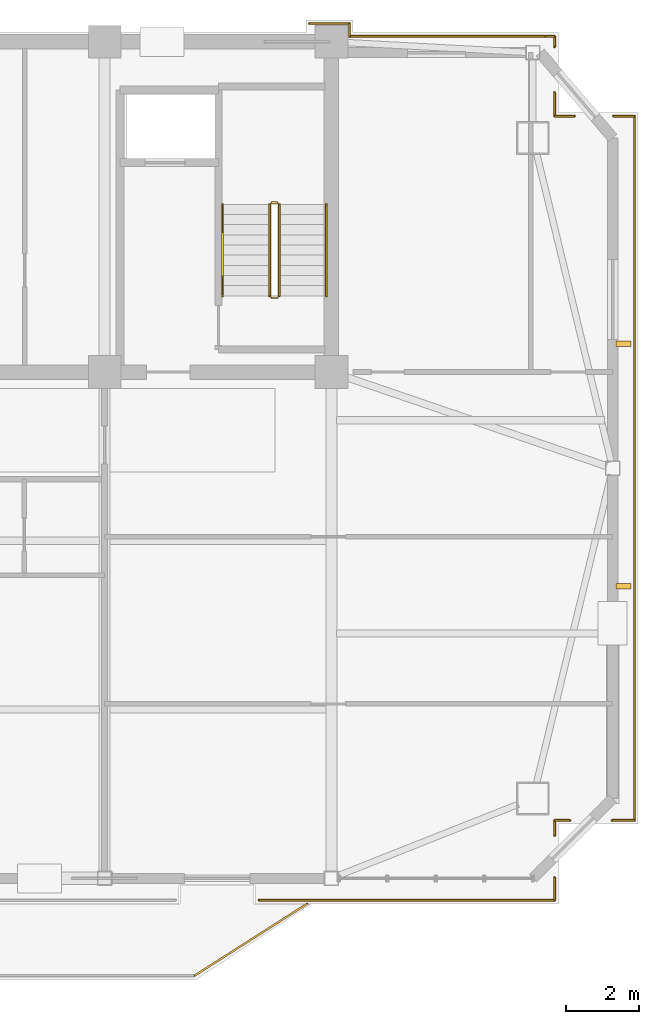
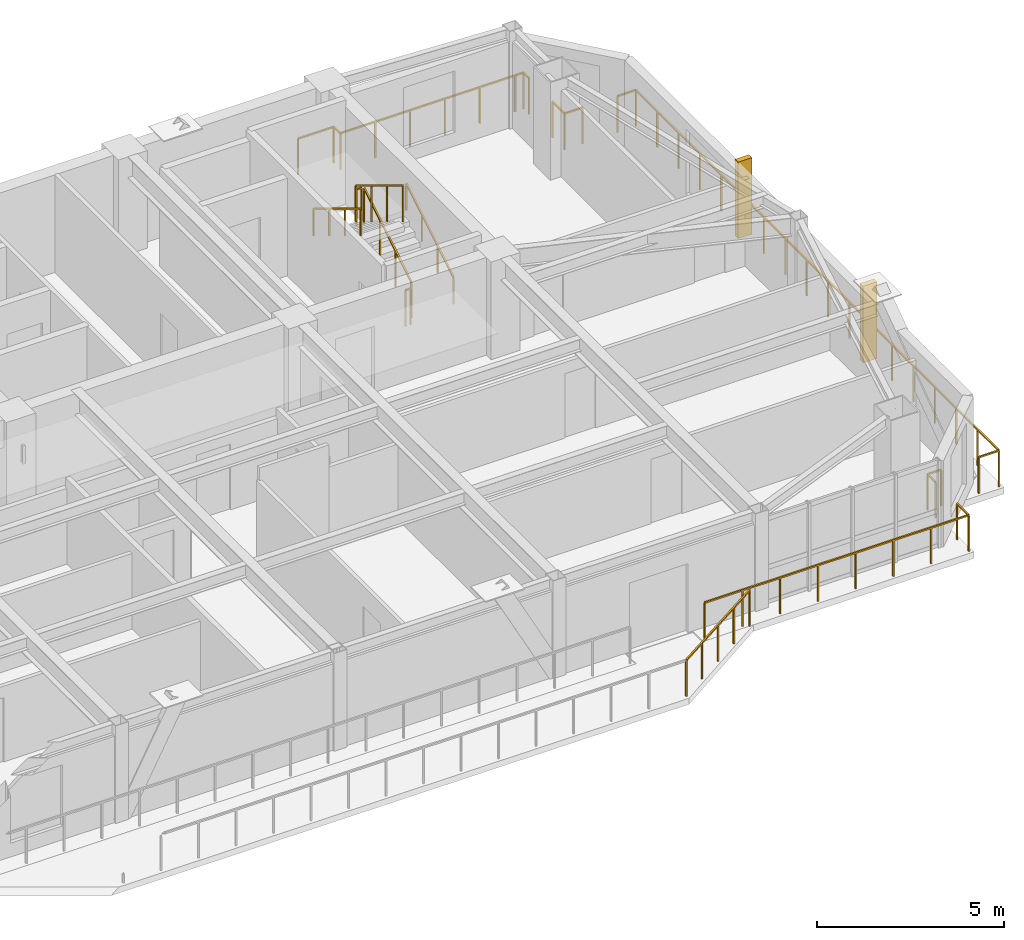
# One storey, part 12 of 12: 21 railings, 2 shading devices.
"""IFC4 building model written with IfcOpenShell, lengths in metres."""

from ifc_helpers import new_model, si_unit, direction, frame, origin, origin_2d, place, context, subcontext, project, spatial, rectangle, extrude, source, transform, mapped, material, type_object, element, save


model = new_model("IFC4")

# Units and contexts
model_context = context("Model", 3, precision=1e-05, world=origin(), true_north=direction((0.0, 1.0)))
body_context = subcontext(model_context, "Body", "Model", "MODEL_VIEW")
ifc_project = project(units=[si_unit("LENGTHUNIT", "METRE"), si_unit("AREAUNIT", "SQUARE_METRE"), si_unit("VOLUMEUNIT", "CUBIC_METRE"), si_unit("PLANEANGLEUNIT", "RADIAN"), si_unit("MASSUNIT", "GRAM", prefix="KILO")], contexts=[model_context])

# Site, building, storey
site_placement = place(None, origin())
site = spatial("IfcSite", under=ifc_project, at=site_placement, CompositionType="ELEMENT")
building_placement = place(site_placement, origin())
building = spatial("IfcBuilding", under=site, at=building_placement, Name="Giltprow Tower", CompositionType="ELEMENT")
storey_placement = place(building_placement, frame((0.0, 0.0, 345.89990234375)))
storey = spatial("IfcBuildingStorey", under=building, at=storey_placement, Name="L90", CompositionType="ELEMENT", Elevation=345.89990234375)

# Railings
ifc_material = material(Name="Anodized bronze", Category="metal")
railing_type_1 = type_object("IfcRailingType", Name="RAIL-BALC-GUARD-1200", PredefinedType="BALUSTRADE", material=ifc_material)
railing_1_placement = place(storey_placement, frame((46.780029296875, 20.820068359375, 0.0)))
element("IfcRailing", 1, at=railing_1_placement, inside=storey, type_object=railing_type_1, Name="L90 Waterfront Balcony Balustrade Seg 3", PredefinedType="BALUSTRADE", context=body_context, shape_type="SweptSolid", body=[
    extrude(rectangle(XDim=0.048095703125, YDim=0.048095703125, at=origin_2d()), frame((0.0, 0.0, 1.17578125), z_axis=(0.842755646126, 0.538296313309, 0.0), x_axis=(-0.538296313309, 0.842755646126, 0.0)), (0.0, 0.0, 1.0), 3.67822265625),
    extrude(rectangle(XDim=0.0419921875, YDim=0.0419921875, at=origin_2d()), origin(), (0.0, 0.0, 1.0), 1.15185546875),
    extrude(rectangle(XDim=0.0419921875, YDim=0.0419921875, at=origin_2d()), frame((0.77490234375, 0.4951171875, 0.0)), (0.0, 0.0, 1.0), 1.15185546875),
    extrude(rectangle(XDim=0.0419921875, YDim=0.0419921875, at=origin_2d()), frame((1.5498046875, 0.989990234375, 0.0)), (0.0, 0.0, 1.0), 1.15185546875),
    extrude(rectangle(XDim=0.0419921875, YDim=0.0419921875, at=origin_2d()), frame((2.324951171875, 1.48486328125, 0.0)), (0.0, 0.0, 1.0), 1.15185546875),
    extrude(rectangle(XDim=0.0419921875, YDim=0.0419921875, at=origin_2d()), frame((3.099853515625, 1.97998046875, 0.0)), (0.0, 0.0, 1.0), 1.15185546875),
])
railing_2_placement = place(storey_placement, frame((58.89990234375, 44.5, 0.0)))
element("IfcRailing", 2, at=railing_2_placement, inside=storey, type_object=railing_type_1, Name="L90 Corner Apron Edge Balustrade 1", PredefinedType="BALUSTRADE", context=body_context, shape_type="SweptSolid", body=[
    extrude(rectangle(XDim=0.048095703125, YDim=0.048095703125, at=origin_2d()), frame((0.0, 0.0, 1.17578125), z_axis=(0.0, -1.0, 0.0), x_axis=(1.0, 0.0, 0.0)), (0.0, 0.0, 1.0), 19.39990234375),
    extrude(rectangle(XDim=0.0419921875, YDim=0.0419921875, at=origin_2d()), origin(), (0.0, 0.0, 1.0), 1.15185546875),
    extrude(rectangle(XDim=0.0419921875, YDim=0.0419921875, at=origin_2d()), frame((0.0, -1.14111328125, 0.0)), (0.0, 0.0, 1.0), 1.15185546875),
    extrude(rectangle(XDim=0.0419921875, YDim=0.0419921875, at=origin_2d()), frame((0.0, -2.2822265625, 0.0)), (0.0, 0.0, 1.0), 1.15185546875),
    extrude(rectangle(XDim=0.0419921875, YDim=0.0419921875, at=origin_2d()), frame((0.0, -3.423583984375, 0.0)), (0.0, 0.0, 1.0), 1.15185546875),
    extrude(rectangle(XDim=0.0419921875, YDim=0.0419921875, at=origin_2d()), frame((0.0, -4.564697265625, 0.0)), (0.0, 0.0, 1.0), 1.15185546875),
    extrude(rectangle(XDim=0.0419921875, YDim=0.0419921875, at=origin_2d()), frame((0.0, -5.705810546875, 0.0)), (0.0, 0.0, 1.0), 1.15185546875),
    extrude(rectangle(XDim=0.0419921875, YDim=0.0419921875, at=origin_2d()), frame((0.0, -6.846923828125, 0.0)), (0.0, 0.0, 1.0), 1.15185546875),
    extrude(rectangle(XDim=0.0419921875, YDim=0.0419921875, at=origin_2d()), frame((0.0, -7.98828125, 0.0)), (0.0, 0.0, 1.0), 1.15185546875),
    extrude(rectangle(XDim=0.0419921875, YDim=0.0419921875, at=origin_2d()), frame((0.0, -9.12939453125, 0.0)), (0.0, 0.0, 1.0), 1.15185546875),
    extrude(rectangle(XDim=0.0419921875, YDim=0.0419921875, at=origin_2d()), frame((0.0, -10.2705078125, 0.0)), (0.0, 0.0, 1.0), 1.15185546875),
    extrude(rectangle(XDim=0.0419921875, YDim=0.0419921875, at=origin_2d()), frame((0.0, -11.41162109375, 0.0)), (0.0, 0.0, 1.0), 1.15185546875),
    extrude(rectangle(XDim=0.0419921875, YDim=0.0419921875, at=origin_2d()), frame((0.0, -12.552978515625, 0.0)), (0.0, 0.0, 1.0), 1.15185546875),
    extrude(rectangle(XDim=0.0419921875, YDim=0.0419921875, at=origin_2d()), frame((0.0, -13.694091796875, 0.0)), (0.0, 0.0, 1.0), 1.15185546875),
    extrude(rectangle(XDim=0.0419921875, YDim=0.0419921875, at=origin_2d()), frame((0.0, -14.835205078125, 0.0)), (0.0, 0.0, 1.0), 1.15185546875),
    extrude(rectangle(XDim=0.0419921875, YDim=0.0419921875, at=origin_2d()), frame((0.0, -15.976318359375, 0.0)), (0.0, 0.0, 1.0), 1.15185546875),
    extrude(rectangle(XDim=0.0419921875, YDim=0.0419921875, at=origin_2d()), frame((0.0, -17.11767578125, 0.0)), (0.0, 0.0, 1.0), 1.15185546875),
    extrude(rectangle(XDim=0.0419921875, YDim=0.0419921875, at=origin_2d()), frame((0.0, -18.2587890625, 0.0)), (0.0, 0.0, 1.0), 1.15185546875),
    extrude(rectangle(XDim=0.0419921875, YDim=0.0419921875, at=origin_2d()), frame((0.0, -19.39990234375, 0.0)), (0.0, 0.0, 1.0), 1.15185546875),
])
railing_3_placement = place(storey_placement, frame((58.89990234375, 25.10009765625, 0.0)))
element("IfcRailing", 3, at=railing_3_placement, inside=storey, type_object=railing_type_1, Name="L90 Corner Apron Edge Balustrade 2", PredefinedType="BALUSTRADE", context=body_context, shape_type="SweptSolid", body=[
    extrude(rectangle(XDim=0.048095703125, YDim=0.048095703125, at=origin_2d()), frame((0.0, 0.0, 1.17578125), z_axis=(-1.0, 0.0, 0.0), x_axis=(0.0, -1.0, 0.0)), (0.0, 0.0, 1.0), 0.619873046875),
    extrude(rectangle(XDim=0.0419921875, YDim=0.0419921875, at=origin_2d()), origin(), (0.0, 0.0, 1.0), 1.15185546875),
    extrude(rectangle(XDim=0.0419921875, YDim=0.0419921875, at=origin_2d()), frame((-0.619873046875, 0.0, 0.0)), (0.0, 0.0, 1.0), 1.15185546875),
])
railing_4_placement = place(storey_placement, frame((57.1201171875, 25.10009765625, 0.0)))
element("IfcRailing", 4, at=railing_4_placement, inside=storey, type_object=railing_type_1, Name="L90 Corner Apron Edge Balustrade 3", PredefinedType="BALUSTRADE", context=body_context, shape_type="SweptSolid", body=[
    extrude(rectangle(XDim=0.048095703125, YDim=0.048095703125, at=origin_2d()), frame((0.0, 0.0, 1.17578125), z_axis=(-1.0, 0.0, 0.0), x_axis=(0.0, -1.0, 0.0)), (0.0, 0.0, 1.0), 0.420166015625),
    extrude(rectangle(XDim=0.0419921875, YDim=0.0419921875, at=origin_2d()), origin(), (0.0, 0.0, 1.0), 1.15185546875),
    extrude(rectangle(XDim=0.0419921875, YDim=0.0419921875, at=origin_2d()), frame((-0.420166015625, 0.0, 0.0)), (0.0, 0.0, 1.0), 1.15185546875),
])
railing_5_placement = place(storey_placement, frame((56.699951171875, 25.10009765625, 0.0)))
element("IfcRailing", 5, at=railing_5_placement, inside=storey, type_object=railing_type_1, Name="L90 Corner Apron Edge Balustrade 4", PredefinedType="BALUSTRADE", context=body_context, shape_type="SweptSolid", body=[
    extrude(rectangle(XDim=0.048095703125, YDim=0.048095703125, at=origin_2d()), frame((0.0, 0.0, 1.17578125), z_axis=(0.0, -1.0, 0.0), x_axis=(1.0, 0.0, 0.0)), (0.0, 0.0, 1.0), 0.420166015625),
    extrude(rectangle(XDim=0.0419921875, YDim=0.0419921875, at=origin_2d()), origin(), (0.0, 0.0, 1.0), 1.15185546875),
    extrude(rectangle(XDim=0.0419921875, YDim=0.0419921875, at=origin_2d()), frame((0.0, -0.420166015625, 0.0)), (0.0, 0.0, 1.0), 1.15185546875),
])
railing_6_placement = place(storey_placement, frame((56.699951171875, 23.52001953125, 0.0)))
element("IfcRailing", 6, at=railing_6_placement, inside=storey, type_object=railing_type_1, Name="L90 Corner Apron Edge Balustrade 5", PredefinedType="BALUSTRADE", context=body_context, shape_type="SweptSolid", body=[
    extrude(rectangle(XDim=0.048095703125, YDim=0.048095703125, at=origin_2d()), frame((0.0, 0.0, 1.17578125), z_axis=(0.0, -1.0, 0.0), x_axis=(1.0, 0.0, 0.0)), (0.0, 0.0, 1.0), 0.6201171875),
    extrude(rectangle(XDim=0.0419921875, YDim=0.0419921875, at=origin_2d()), origin(), (0.0, 0.0, 1.0), 1.15185546875),
    extrude(rectangle(XDim=0.0419921875, YDim=0.0419921875, at=origin_2d()), frame((0.0, -0.6201171875, 0.0)), (0.0, 0.0, 1.0), 1.15185546875),
])
railing_7_placement = place(storey_placement, frame((56.699951171875, 22.89990234375, 0.0)))
element("IfcRailing", 7, at=railing_7_placement, inside=storey, type_object=railing_type_1, Name="L90 Corner Apron Edge Balustrade 6", PredefinedType="BALUSTRADE", context=body_context, shape_type="SweptSolid", body=[
    extrude(rectangle(XDim=0.048095703125, YDim=0.048095703125, at=origin_2d()), frame((0.0, 0.0, 1.17578125), z_axis=(-1.0, 0.0, 0.0), x_axis=(0.0, -1.0, 0.0)), (0.0, 0.0, 1.0), 8.14990234375),
    extrude(rectangle(XDim=0.0419921875, YDim=0.0419921875, at=origin_2d()), origin(), (0.0, 0.0, 1.0), 1.15185546875),
    extrude(rectangle(XDim=0.0419921875, YDim=0.0419921875, at=origin_2d()), frame((-1.164306640625, 0.0, 0.0)), (0.0, 0.0, 1.0), 1.15185546875),
    extrude(rectangle(XDim=0.0419921875, YDim=0.0419921875, at=origin_2d()), frame((-2.32861328125, 0.0, 0.0)), (0.0, 0.0, 1.0), 1.15185546875),
    extrude(rectangle(XDim=0.0419921875, YDim=0.0419921875, at=origin_2d()), frame((-3.492919921875, 0.0, 0.0)), (0.0, 0.0, 1.0), 1.15185546875),
    extrude(rectangle(XDim=0.0419921875, YDim=0.0419921875, at=origin_2d()), frame((-4.656982421875, 0.0, 0.0)), (0.0, 0.0, 1.0), 1.15185546875),
    extrude(rectangle(XDim=0.0419921875, YDim=0.0419921875, at=origin_2d()), frame((-5.8212890625, 0.0, 0.0)), (0.0, 0.0, 1.0), 1.15185546875),
    extrude(rectangle(XDim=0.0419921875, YDim=0.0419921875, at=origin_2d()), frame((-6.985595703125, 0.0, 0.0)), (0.0, 0.0, 1.0), 1.15185546875),
    extrude(rectangle(XDim=0.0419921875, YDim=0.0419921875, at=origin_2d()), frame((-8.14990234375, 0.0, 0.0)), (0.0, 0.0, 1.0), 1.15185546875),
])
railing_8_placement = place(storey_placement, frame((49.949951171875, 47.050048828125, 0.0)))
element("IfcRailing", 8, at=railing_8_placement, inside=storey, type_object=railing_type_1, Name="L90 Corner Apron Edge Balustrade 22", PredefinedType="BALUSTRADE", context=body_context, shape_type="SweptSolid", body=[
    extrude(rectangle(XDim=0.048095703125, YDim=0.048095703125, at=origin_2d()), frame((0.0, 0.0, 1.17578125), z_axis=(1.0, 0.0, 0.0), x_axis=(0.0, 1.0, 0.0)), (0.0, 0.0, 1.0), 1.10009765625),
    extrude(rectangle(XDim=0.0419921875, YDim=0.0419921875, at=origin_2d()), origin(), (0.0, 0.0, 1.0), 1.15185546875),
    extrude(rectangle(XDim=0.0419921875, YDim=0.0419921875, at=origin_2d()), frame((1.10009765625, 0.0, 0.0)), (0.0, 0.0, 1.0), 1.15185546875),
])
railing_9_placement = place(storey_placement, frame((51.050048828125, 47.050048828125, 0.0)))
element("IfcRailing", 9, at=railing_9_placement, inside=storey, type_object=railing_type_1, Name="L90 Corner Apron Edge Balustrade 23", PredefinedType="BALUSTRADE", context=body_context, shape_type="SweptSolid", body=[
    extrude(rectangle(XDim=0.048095703125, YDim=0.048095703125, at=origin_2d()), frame((0.0, 0.0, 1.17578125), z_axis=(0.0, -1.0, 0.0), x_axis=(1.0, 0.0, 0.0)), (0.0, 0.0, 1.0), 0.35009765625),
    extrude(rectangle(XDim=0.0419921875, YDim=0.0419921875, at=origin_2d()), origin(), (0.0, 0.0, 1.0), 1.15185546875),
    extrude(rectangle(XDim=0.0419921875, YDim=0.0419921875, at=origin_2d()), frame((0.0, -0.35009765625, 0.0)), (0.0, 0.0, 1.0), 1.15185546875),
])
railing_10_placement = place(storey_placement, frame((51.050048828125, 46.699951171875, 0.0)))
element("IfcRailing", 10, at=railing_10_placement, inside=storey, type_object=railing_type_1, Name="L90 Corner Apron Edge Balustrade 24", PredefinedType="BALUSTRADE", context=body_context, shape_type="SweptSolid", body=[
    extrude(rectangle(XDim=0.048095703125, YDim=0.048095703125, at=origin_2d()), frame((0.0, 0.0, 1.17578125), z_axis=(1.0, 0.0, 0.0), x_axis=(0.0, 1.0, 0.0)), (0.0, 0.0, 1.0), 5.3779296875),
    extrude(rectangle(XDim=0.0419921875, YDim=0.0419921875, at=origin_2d()), origin(), (0.0, 0.0, 1.0), 1.15185546875),
    extrude(rectangle(XDim=0.0419921875, YDim=0.0419921875, at=origin_2d()), frame((1.07568359375, 0.0, 0.0)), (0.0, 0.0, 1.0), 1.15185546875),
    extrude(rectangle(XDim=0.0419921875, YDim=0.0419921875, at=origin_2d()), frame((2.151123046875, 0.0, 0.0)), (0.0, 0.0, 1.0), 1.15185546875),
    extrude(rectangle(XDim=0.0419921875, YDim=0.0419921875, at=origin_2d()), frame((3.226806640625, 0.0, 0.0)), (0.0, 0.0, 1.0), 1.15185546875),
    extrude(rectangle(XDim=0.0419921875, YDim=0.0419921875, at=origin_2d()), frame((4.30224609375, 0.0, 0.0)), (0.0, 0.0, 1.0), 1.15185546875),
    extrude(rectangle(XDim=0.0419921875, YDim=0.0419921875, at=origin_2d()), frame((5.3779296875, 0.0, 0.0)), (0.0, 0.0, 1.0), 1.15185546875),
])
railing_11_placement = place(storey_placement, frame((56.455078125, 46.699951171875, 0.0)))
element("IfcRailing", 11, at=railing_11_placement, inside=storey, type_object=railing_type_1, Name="L90 Corner Apron Edge Balustrade 25", PredefinedType="BALUSTRADE", context=body_context, shape_type="SweptSolid", body=[
    extrude(rectangle(XDim=0.048095703125, YDim=0.048095703125, at=origin_2d()), frame((0.0, 0.0, 1.17578125), z_axis=(1.0, 0.0, 0.0), x_axis=(0.0, 1.0, 0.0)), (0.0, 0.0, 1.0), 0.244873046875),
    extrude(rectangle(XDim=0.0419921875, YDim=0.0419921875, at=origin_2d()), origin(), (0.0, 0.0, 1.0), 1.15185546875),
    extrude(rectangle(XDim=0.0419921875, YDim=0.0419921875, at=origin_2d()), frame((0.244873046875, 0.0, 0.0)), (0.0, 0.0, 1.0), 1.15185546875),
])
railing_12_placement = place(storey_placement, frame((56.699951171875, 46.699951171875, 0.0)))
element("IfcRailing", 12, at=railing_12_placement, inside=storey, type_object=railing_type_1, Name="L90 Corner Apron Edge Balustrade 26", PredefinedType="BALUSTRADE", context=body_context, shape_type="SweptSolid", body=[
    extrude(rectangle(XDim=0.048095703125, YDim=0.048095703125, at=origin_2d()), frame((0.0, 0.0, 1.17578125), z_axis=(0.0, -1.0, 0.0), x_axis=(1.0, 0.0, 0.0)), (0.0, 0.0, 1.0), 0.286865234375),
    extrude(rectangle(XDim=0.0419921875, YDim=0.0419921875, at=origin_2d()), origin(), (0.0, 0.0, 1.0), 1.15185546875),
    extrude(rectangle(XDim=0.0419921875, YDim=0.0419921875, at=origin_2d()), frame((0.0, -0.286865234375, 0.0)), (0.0, 0.0, 1.0), 1.15185546875),
])
railing_13_placement = place(storey_placement, frame((56.699951171875, 45.14697265625, 0.0)))
element("IfcRailing", 13, at=railing_13_placement, inside=storey, type_object=railing_type_1, Name="L90 Corner Apron Edge Balustrade 27", PredefinedType="BALUSTRADE", context=body_context, shape_type="SweptSolid", body=[
    extrude(rectangle(XDim=0.048095703125, YDim=0.048095703125, at=origin_2d()), frame((0.0, 0.0, 1.17578125), z_axis=(0.0, -1.0, 0.0), x_axis=(1.0, 0.0, 0.0)), (0.0, 0.0, 1.0), 0.64697265625),
    extrude(rectangle(XDim=0.0419921875, YDim=0.0419921875, at=origin_2d()), origin(), (0.0, 0.0, 1.0), 1.15185546875),
    extrude(rectangle(XDim=0.0419921875, YDim=0.0419921875, at=origin_2d()), frame((0.0, -0.64697265625, 0.0)), (0.0, 0.0, 1.0), 1.15185546875),
])
railing_14_placement = place(storey_placement, frame((56.699951171875, 44.5, 0.0)))
element("IfcRailing", 14, at=railing_14_placement, inside=storey, type_object=railing_type_1, Name="L90 Corner Apron Edge Balustrade 28", PredefinedType="BALUSTRADE", context=body_context, shape_type="SweptSolid", body=[
    extrude(rectangle(XDim=0.048095703125, YDim=0.048095703125, at=origin_2d()), frame((0.0, 0.0, 1.17578125), z_axis=(1.0, 0.0, 0.0), x_axis=(0.0, 1.0, 0.0)), (0.0, 0.0, 1.0), 0.551025390625),
    extrude(rectangle(XDim=0.0419921875, YDim=0.0419921875, at=origin_2d()), origin(), (0.0, 0.0, 1.0), 1.15185546875),
    extrude(rectangle(XDim=0.0419921875, YDim=0.0419921875, at=origin_2d()), frame((0.551025390625, 0.0, 0.0)), (0.0, 0.0, 1.0), 1.15185546875),
])
railing_15_placement = place(storey_placement, frame((58.327880859375, 44.5, 0.0)))
element("IfcRailing", 15, at=railing_15_placement, inside=storey, type_object=railing_type_1, Name="L90 Corner Apron Edge Balustrade 29", PredefinedType="BALUSTRADE", context=body_context, shape_type="SweptSolid", body=[
    extrude(rectangle(XDim=0.048095703125, YDim=0.048095703125, at=origin_2d()), frame((0.0, 0.0, 1.17578125), z_axis=(1.0, 0.0, 0.0), x_axis=(0.0, 1.0, 0.0)), (0.0, 0.0, 1.0), 0.572021484375),
    extrude(rectangle(XDim=0.0419921875, YDim=0.0419921875, at=origin_2d()), origin(), (0.0, 0.0, 1.0), 1.15185546875),
    extrude(rectangle(XDim=0.0419921875, YDim=0.0419921875, at=origin_2d()), frame((0.572021484375, 0.0, 0.0)), (0.0, 0.0, 1.0), 1.15185546875),
])
railing_type_2 = type_object("IfcRailingType", Name="RAIL-STAIR-GUARD-1200", PredefinedType="GUARDRAIL", material=ifc_material)
railing_16_placement = place(storey_placement, frame((49.110107421875, 39.550048828125, 0.170166015625)))
element("IfcRailing", 16, at=railing_16_placement, inside=storey, type_object=railing_type_2, Name="L90 ST-3 stair guard 1", PredefinedType="GUARDRAIL", context=body_context, shape_type="SweptSolid", body=[
    extrude(rectangle(XDim=0.048095703125, YDim=0.048095703125, at=origin_2d()), frame((0.0, 0.0, 1.17578125), z_axis=(0.0, 0.85478489116, 0.518982456201), x_axis=(-1.0, 0.0, 0.0)), (0.0, 0.0, 1.0), 2.9482421875),
    extrude(rectangle(XDim=0.0419921875, YDim=0.0419921875, at=origin_2d()), origin(), (0.0, 0.0, 1.0), 1.15185546875),
    extrude(rectangle(XDim=0.0419921875, YDim=0.0419921875, at=origin_2d()), frame((0.0, 0.840087890625, 0.510009765625)), (0.0, 0.0, 1.0), 1.15185546875),
    extrude(rectangle(XDim=0.0419921875, YDim=0.0419921875, at=origin_2d()), frame((0.0, 1.679931640625, 1.02001953125)), (0.0, 0.0, 1.0), 1.15185546875),
    extrude(rectangle(XDim=0.0419921875, YDim=0.0419921875, at=origin_2d()), frame((0.0, 2.52001953125, 1.530029296875)), (0.0, 0.0, 1.0), 1.15185546875),
])
railing_17_placement = place(storey_placement, frame((49.06005859375, 42.1201171875, 1.7001953125)))
element("IfcRailing", 17, at=railing_17_placement, inside=storey, type_object=railing_type_2, Name="L90 ST-3 stair guard 2", PredefinedType="GUARDRAIL", context=body_context, shape_type="SweptSolid", body=[
    extrude(rectangle(XDim=0.048095703125, YDim=0.048095703125, at=origin_2d()), frame((0.0, 0.0, 1.17578125), z_axis=(-1.0, 0.0, 0.0), x_axis=(0.0, -1.0, 0.0)), (0.0, 0.0, 1.0), 0.16015625),
    extrude(rectangle(XDim=0.0419921875, YDim=0.0419921875, at=origin_2d()), origin(), (0.0, 0.0, 1.0), 1.15185546875),
    extrude(rectangle(XDim=0.0419921875, YDim=0.0419921875, at=origin_2d()), frame((-0.16015625, 0.0, 0.0)), (0.0, 0.0, 1.0), 1.15185546875),
])
railing_18_placement = place(storey_placement, frame((48.85009765625, 42.070068359375, 1.8701171875)))
element("IfcRailing", 18, at=railing_18_placement, inside=storey, type_object=railing_type_2, Name="L90 ST-3 stair guard 3", PredefinedType="GUARDRAIL", context=body_context, shape_type="SweptSolid", body=[
    extrude(rectangle(XDim=0.048095703125, YDim=0.048095703125, at=origin_2d()), frame((0.0, 0.0, 1.17578125), z_axis=(0.0, -0.85478489116, 0.518982456201), x_axis=(1.0, 0.0, 0.0)), (0.0, 0.0, 1.0), 2.9482421875),
    extrude(rectangle(XDim=0.0419921875, YDim=0.0419921875, at=origin_2d()), origin(), (0.0, 0.0, 1.0), 1.15185546875),
    extrude(rectangle(XDim=0.0419921875, YDim=0.0419921875, at=origin_2d()), frame((0.0, -0.840087890625, 0.510009765625)), (0.0, 0.0, 1.0), 1.15185546875),
    extrude(rectangle(XDim=0.0419921875, YDim=0.0419921875, at=origin_2d()), frame((0.0, -1.679931640625, 1.02001953125)), (0.0, 0.0, 1.0), 1.15185546875),
    extrude(rectangle(XDim=0.0419921875, YDim=0.0419921875, at=origin_2d()), frame((0.0, -2.52001953125, 1.530029296875)), (0.0, 0.0, 1.0), 1.15185546875),
])
railing_19_placement = place(storey_placement, frame((49.06005859375, 39.5, 0.0)))
element("IfcRailing", 19, at=railing_19_placement, inside=storey, type_object=railing_type_2, Name="L90 ST-3 stair guard 4", PredefinedType="GUARDRAIL", context=body_context, shape_type="SweptSolid", body=[
    extrude(rectangle(XDim=0.048095703125, YDim=0.048095703125, at=origin_2d()), frame((0.0, 0.0, 1.17578125), z_axis=(-1.0, 0.0, 0.0), x_axis=(0.0, -1.0, 0.0)), (0.0, 0.0, 1.0), 0.16015625),
    extrude(rectangle(XDim=0.0419921875, YDim=0.0419921875, at=origin_2d()), origin(), (0.0, 0.0, 1.0), 1.15185546875),
    extrude(rectangle(XDim=0.0419921875, YDim=0.0419921875, at=origin_2d()), frame((-0.16015625, 0.0, 0.0)), (0.0, 0.0, 1.0), 1.15185546875),
])
railing_type_3 = type_object("IfcRailingType", Name="RAIL-STAIR-HAND-900", PredefinedType="HANDRAIL", material=ifc_material)
railing_20_placement = place(storey_placement, frame((50.409912109375, 39.550048828125, 0.170166015625)))
element("IfcRailing", 20, at=railing_20_placement, inside=storey, type_object=railing_type_3, Name="L90 ST-3 stair handrail 1", PredefinedType="HANDRAIL", context=body_context, shape_type="SweptSolid", body=[
    extrude(rectangle(XDim=0.048095703125, YDim=0.048095703125, at=origin_2d()), frame((0.0, 0.0, 0.8759765625), z_axis=(0.0, 0.85478489116, 0.518982456201), x_axis=(-1.0, 0.0, 0.0)), (0.0, 0.0, 1.0), 2.9482421875),
    extrude(rectangle(XDim=0.0419921875, YDim=0.0419921875, at=origin_2d()), origin(), (0.0, 0.0, 1.0), 0.851806640625),
    extrude(rectangle(XDim=0.0419921875, YDim=0.0419921875, at=origin_2d()), frame((0.0, 0.840087890625, 0.510009765625)), (0.0, 0.0, 1.0), 0.851806640625),
    extrude(rectangle(XDim=0.0419921875, YDim=0.0419921875, at=origin_2d()), frame((0.0, 1.679931640625, 1.02001953125)), (0.0, 0.0, 1.0), 0.851806640625),
    extrude(rectangle(XDim=0.0419921875, YDim=0.0419921875, at=origin_2d()), frame((0.0, 2.52001953125, 1.530029296875)), (0.0, 0.0, 1.0), 0.851806640625),
])
railing_21_placement = place(storey_placement, frame((47.550048828125, 42.070068359375, 1.8701171875)))
element("IfcRailing", 21, at=railing_21_placement, inside=storey, type_object=railing_type_3, Name="L90 ST-3 stair handrail 2", PredefinedType="HANDRAIL", context=body_context, shape_type="SweptSolid", body=[
    extrude(rectangle(XDim=0.048095703125, YDim=0.048095703125, at=origin_2d()), frame((0.0, 0.0, 0.8759765625), z_axis=(0.0, -0.85478489116, 0.518982456201), x_axis=(1.0, 0.0, 0.0)), (0.0, 0.0, 1.0), 2.9482421875),
    extrude(rectangle(XDim=0.0419921875, YDim=0.0419921875, at=origin_2d()), origin(), (0.0, 0.0, 1.0), 0.851806640625),
    extrude(rectangle(XDim=0.0419921875, YDim=0.0419921875, at=origin_2d()), frame((0.0, -0.840087890625, 0.510009765625)), (0.0, 0.0, 1.0), 0.851806640625),
    extrude(rectangle(XDim=0.0419921875, YDim=0.0419921875, at=origin_2d()), frame((0.0, -1.679931640625, 1.02001953125)), (0.0, 0.0, 1.0), 0.851806640625),
    extrude(rectangle(XDim=0.0419921875, YDim=0.0419921875, at=origin_2d()), frame((0.0, -2.52001953125, 1.530029296875)), (0.0, 0.0, 1.0), 0.851806640625),
])

# Shading devices
shading_device_type = type_object("IfcShadingDeviceType", Name="SHD-FIN-420", PredefinedType="USERDEFINED", material=ifc_material)
shared_shape = source(origin(), body_context, "Body", "SweptSolid", [
    extrude(rectangle(XDim=0.419921875, YDim=0.159912109375, at=origin_2d()), origin(), (0.0, 0.0, 1.0), 2.5),
])
for number, where, z_axis, x_axis, name in (
    (22, (58.60009765625, 31.547119140625, 0.35009765625), (0.0, 0.0, 1.0), (1.0, 0.0, 0.0), "L90 E Bronze Vertical Fin 1-1"),
    (23, (58.60009765625, 38.22998046875, 0.35009765625), (0.0, 0.0, 1.0), (1.0, 0.0, 0.0), "L90 E Bronze Vertical Fin 2-1"),
):
    element("IfcShadingDevice", number, at=place(storey_placement, frame(where, z_axis=z_axis, x_axis=x_axis)), inside=storey, type_object=shading_device_type, Name=name, ObjectType="FIN", PredefinedType="USERDEFINED", context=body_context, shape_type="MappedRepresentation", body=[
        mapped(shared_shape, transform((0.0, 0.0, 0.0), x_axis=(1.0, 0.0, 0.0), y_axis=(0.0, 1.0, 0.0), z_axis=(0.0, 0.0, 1.0), scale=1.0)),
    ])

save(model, "model.ifc")
